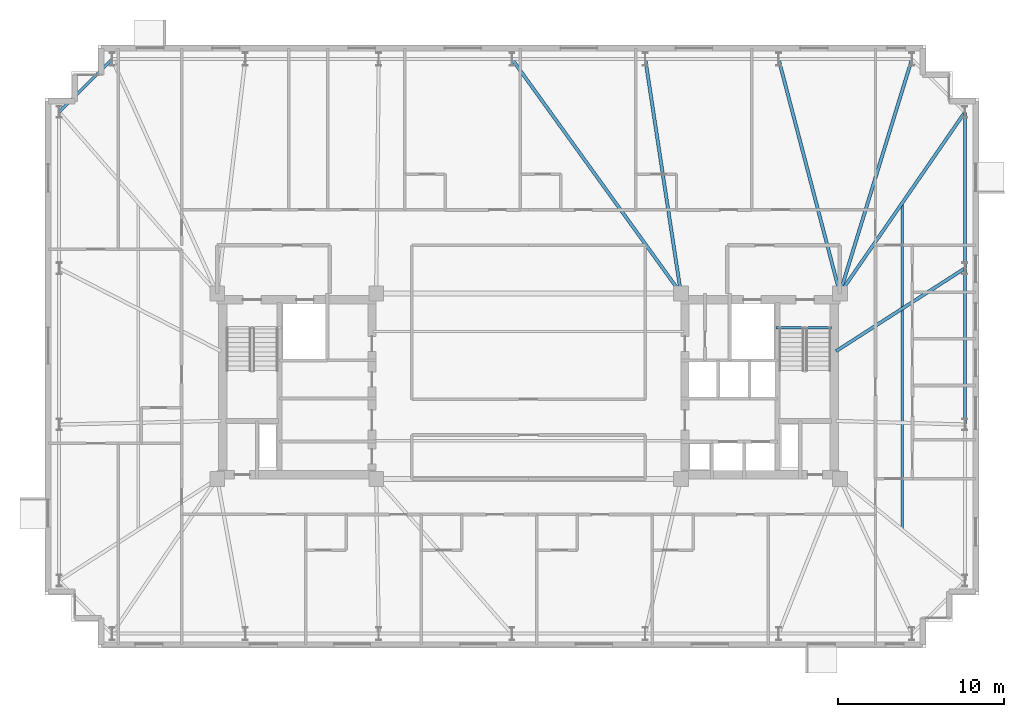
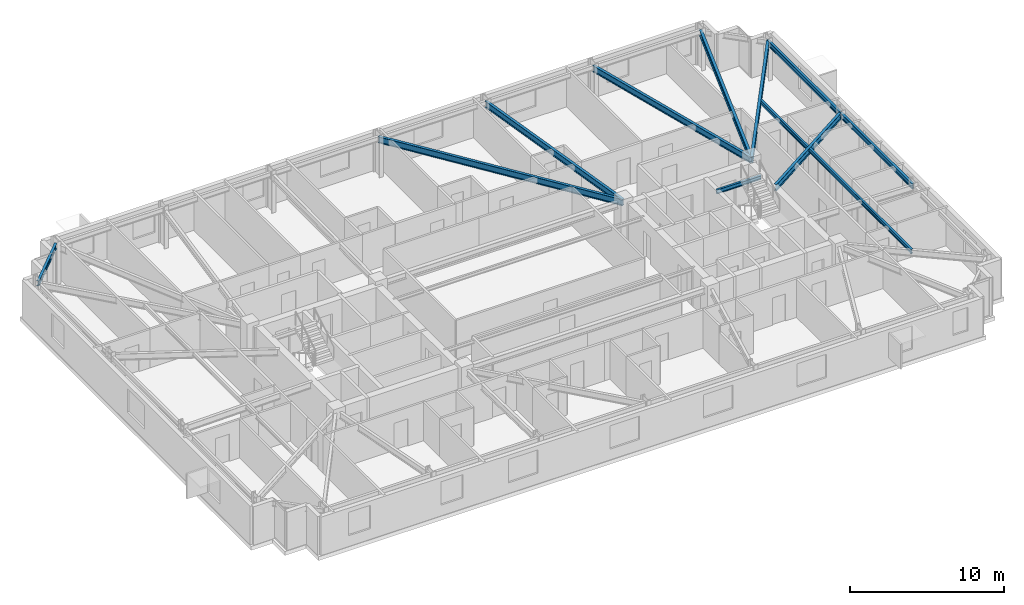
# One storey, part 6 of 17: 11 beams.
"""IFC4 building model written with IfcOpenShell, lengths in metres."""

import ifcopenshell
import ifcopenshell.guid

model = None  # the IFC model being written
_history = None  # IfcOwnerHistory: only IFC2X3 demands one
_inside = {}  # id of a spatial element -> (the spatial element, [elements in it])
_under = {}  # id of a project, library or spatial element -> (it, [spatial elements below it])
_declared = {}  # id of a project -> (the project, [libraries it declares])
_typed = {}  # id of a type object -> (the type object, [elements of that type])
_made_of = {}  # id of a material, layer set ... -> (it, [elements and type objects made of it])


def new_model(schema):
    """Start an empty IFC model of exactly this schema.

    Asked for "IFC4X3", IfcOpenShell would pick the latest addendum, in which some entities
    have other attributes; the version numbers below select the first issue.
    IFC2X3 requires an IfcOwnerHistory on every rooted entity: one is made here for all.
    """
    global model, _history
    if schema == "IFC4X3":
        model = ifcopenshell.file(schema_version=(4, 3, 0, 0))
    else:
        model = ifcopenshell.file(schema=schema)
    _inside.clear()
    _under.clear()
    _declared.clear()
    _typed.clear()
    _made_of.clear()
    _history = None
    if model.schema == "IFC2X3":
        org = make("IfcOrganization", Name="unknown")
        user = make(
            "IfcPersonAndOrganization",
            ThePerson=make("IfcPerson", FamilyName="unknown"),
            TheOrganization=org,
        )
        app = make(
            "IfcApplication",
            ApplicationDeveloper=org,
            Version="unknown",
            ApplicationFullName="unknown",
            ApplicationIdentifier="unknown",
        )
        _history = make(
            "IfcOwnerHistory",
            OwningUser=user,
            OwningApplication=app,
            ChangeAction="ADDED",
            CreationDate=0,
        )
    return model


def make(cls, **values):
    """One entity of the class cls with the attributes given. An attribute that is None is left unset."""
    return model.create_entity(
        cls, **{name: value for name, value in values.items() if value is not None}
    )


def rooted(cls, **values):
    """An entity with a GlobalId (a new one), such as an element, a storey or a relation."""
    return make(cls, GlobalId=ifcopenshell.guid.new(), OwnerHistory=_history, **values)


def si_unit(unit_type, name, prefix=None):
    """IfcSIUnit, for example si_unit("LENGTHUNIT", "METRE", prefix="MILLI")."""
    return make("IfcSIUnit", UnitType=unit_type, Prefix=prefix, Name=name)


def assignment(units):
    """IfcUnitAssignment: the units of a project."""
    return None if units is None else make("IfcUnitAssignment", Units=units)


def point(xyz):
    """IfcCartesianPoint."""
    return None if xyz is None else make("IfcCartesianPoint", Coordinates=xyz)


def direction(xyz):
    """IfcDirection."""
    return None if xyz is None else make("IfcDirection", DirectionRatios=xyz)


def frame(location, z_axis=None, x_axis=None):
    """IfcAxis2Placement3D, a coordinate frame: its origin and axes. An axis left out is left unset."""
    return make(
        "IfcAxis2Placement3D",
        Location=point(location),
        Axis=direction(z_axis),
        RefDirection=direction(x_axis),
    )


def frame_2d(location, x_axis=None):
    """IfcAxis2Placement2D, a coordinate frame in the plane: its origin and x axis."""
    return make(
        "IfcAxis2Placement2D", Location=point(location), RefDirection=direction(x_axis)
    )


def origin():
    """The frame at (0, 0, 0) with its axes left unset."""
    return frame((0.0, 0.0, 0.0))


def origin_2d():
    """The frame at (0, 0) in the plane with its x axis left unset."""
    return frame_2d((0.0, 0.0))


def place(relative_to, where):
    """IfcLocalPlacement: puts the frame where relative to a parent placement (None: the world)."""
    return make(
        "IfcLocalPlacement", PlacementRelTo=relative_to, RelativePlacement=where
    )


def context(
    kind, dimensions, precision=None, world=None, true_north=None, identifier=None
):
    """IfcGeometricRepresentationContext, for example the 3D "Model" context."""
    return make(
        "IfcGeometricRepresentationContext",
        ContextIdentifier=identifier,
        ContextType=kind,
        CoordinateSpaceDimension=dimensions,
        Precision=precision,
        WorldCoordinateSystem=world,
        TrueNorth=true_north,
    )


def subcontext(parent, identifier, kind, view, scale=None):
    """IfcGeometricRepresentationSubContext, for example "Body" below "Model"."""
    return make(
        "IfcGeometricRepresentationSubContext",
        ContextIdentifier=identifier,
        ContextType=kind,
        ParentContext=parent,
        TargetScale=scale,
        TargetView=view,
    )


def project(units=None, contexts=None):
    """IfcProject with its units and contexts."""
    return rooted(
        "IfcProject",
        Name="project",
        RepresentationContexts=contexts,
        UnitsInContext=assignment(units),
    )


def spatial(cls, under=None, at=None, **own):
    """A site, building, storey or space (cls), placed at a placement, below another one or the project."""
    s = rooted(cls, ObjectPlacement=at, **own)
    if under is not None:
        _under.setdefault(under.id(), (under, []))[1].append(s)
    return s


def profile(cls, at=None, kind="AREA", **sizes):
    """A parametric profile (cls). Its sizes go by their IFC names, for example OverallWidth=200.0."""
    return make(cls, ProfileType=kind, Position=at, **sizes)


def i_section(**sizes):
    """IfcIShapeProfileDef."""
    return profile("IfcIShapeProfileDef", **sizes)


def extrude(swept, where, along, depth):
    """IfcExtrudedAreaSolid: the profile swept, set in the frame where, extruded along a direction by depth."""
    return make(
        "IfcExtrudedAreaSolid",
        SweptArea=swept,
        Position=where,
        ExtrudedDirection=direction(along),
        Depth=depth,
    )


def shape(context_of_items, identifier, shape_type, items):
    """IfcShapeRepresentation: the items that make up one representation, for example the "Body"."""
    return make(
        "IfcShapeRepresentation",
        ContextOfItems=context_of_items,
        RepresentationIdentifier=identifier,
        RepresentationType=shape_type,
        Items=items,
    )


def material(Name=None, Category=None):
    """IfcMaterial."""
    return make("IfcMaterial", Name=Name, Category=Category)


def material_profile(
    of_material, cross_section, Name=None, Category=None, Priority=None
):
    """IfcMaterialProfile: a cross section and its material."""
    return make(
        "IfcMaterialProfile",
        Name=Name,
        Material=of_material,
        Profile=cross_section,
        Priority=Priority,
        Category=Category,
    )


def profile_set(profiles, Name=None, composite=None):
    """IfcMaterialProfileSet."""
    return make(
        "IfcMaterialProfileSet",
        Name=Name,
        MaterialProfiles=profiles,
        CompositeProfile=composite,
    )


def made_of(thing, what):
    """Note that an element or type object is made of a material, layer set ...; save() writes the relation."""
    if what is not None:
        _made_of.setdefault(what.id(), (what, []))[1].append(thing)
    return thing


def type_object(cls, material=None, **own):
    """A type object (cls), such as IfcWallType, which elements share."""
    return made_of(rooted(cls, **own), material)


def element(
    cls,
    number,
    at=None,
    inside=None,
    cuts=None,
    type_object=None,
    material=None,
    context=None,
    identifier="Body",
    shape_type=None,
    held_by="IfcProductDefinitionShape",
    body=None,
    shapes=None,
    **own,
):
    """One element of the class cls, such as IfcWall. Its Tag is "e" and its number.

    at: its placement. inside: the storey or other place that contains it. cuts: it is an
    opening in that element (IfcRelVoidsElement). A single representation is given by context,
    identifier, shape_type and body (its items); several are given by shapes. held_by: the class
    of the entity that holds the representations. save() writes the other relations.
    """
    e = rooted(cls, Tag="e%d" % number, ObjectPlacement=at, **own)
    if body is not None:
        shapes = [shape(context, identifier, shape_type, body)]
    if shapes is not None:
        e.Representation = make(held_by, Representations=shapes)
    if inside is not None:
        _inside.setdefault(inside.id(), (inside, []))[1].append(e)
    if cuts is not None:
        rooted(
            "IfcRelVoidsElement", RelatingBuildingElement=cuts, RelatedOpeningElement=e
        )
    if type_object is not None:
        _typed.setdefault(type_object.id(), (type_object, []))[1].append(e)
    return made_of(e, material)


def aggregate(whole, parts):
    """IfcRelAggregates: a whole, such as a stair, and the parts it consists of."""
    return rooted("IfcRelAggregates", RelatingObject=whole, RelatedObjects=parts)


def save(model, path):
    """Write the relations noted so far, then the file.

    IfcRelAggregates (storeys below a building ...), IfcRelContainedInSpatialStructure (elements
    in a storey), IfcRelDefinesByType, IfcRelAssociatesMaterial and IfcRelDeclares: one each for
    every whole, place, type object, material and project.
    """
    for whole, parts in _under.values():
        aggregate(whole, parts)
    for where, things in _inside.values():
        rooted(
            "IfcRelContainedInSpatialStructure",
            RelatedElements=things,
            RelatingStructure=where,
        )
    for kind, things in _typed.values():
        rooted("IfcRelDefinesByType", RelatedObjects=things, RelatingType=kind)
    for what, things in _made_of.values():
        rooted("IfcRelAssociatesMaterial", RelatedObjects=things, RelatingMaterial=what)
    for by, libraries in _declared.values():
        rooted("IfcRelDeclares", RelatingContext=by, RelatedDefinitions=libraries)
    model.write(path)


model = new_model("IFC4")

# Units and contexts
model_context = context("Model", 3, precision=1e-05, world=origin(), true_north=direction((0.0, 1.0)))
body_context = subcontext(model_context, "Body", "Model", "MODEL_VIEW")
ifc_project = project(units=[si_unit("LENGTHUNIT", "METRE"), si_unit("AREAUNIT", "SQUARE_METRE"), si_unit("VOLUMEUNIT", "CUBIC_METRE"), si_unit("PLANEANGLEUNIT", "RADIAN"), si_unit("MASSUNIT", "GRAM", prefix="KILO")], contexts=[model_context])

# Site, building, storey
site_placement = place(None, origin())
site = spatial("IfcSite", under=ifc_project, at=site_placement, CompositionType="ELEMENT")
building_placement = place(site_placement, origin())
building = spatial("IfcBuilding", under=site, at=building_placement, Name="Qobustan Lattice House", CompositionType="ELEMENT")
storey_placement = place(building_placement, frame((0.0, 0.0, 161.14990234375)))
storey = spatial("IfcBuildingStorey", under=building, at=storey_placement, Name="L45", CompositionType="ELEMENT", Elevation=161.14990234375)

# Beams
ifc_material_1 = material(Name="Steel S355", Category="steel")
ifc_material_profile_1 = material_profile(ifc_material_1, i_section(OverallWidth=0.199951171875, OverallDepth=0.5, WebThickness=0.01025390625, FlangeThickness=0.01611328125, FilletRadius=0.02099609375, at=origin_2d()), Name="IPE500")
ifc_profile_set_1 = profile_set([ifc_material_profile_1], Name="Steel S355")
beam_type_1 = type_object("IfcBeamType", Name="BM-FLG-IPE500", PredefinedType="USERDEFINED", material=ifc_profile_set_1)
beam_1_placement = place(storey_placement, frame((-0.9853515625, 19.729736328125, 2.7900390625), z_axis=(0.584755393146, -0.811209670916, 0.0), x_axis=(0.811209670916, 0.584755393146, 0.0)))
element("IfcBeam", 1, at=beam_1_placement, inside=storey, type_object=beam_type_1, Name="L45 primary floor girder RAD-N4", ObjectType="GIRDER", PredefinedType="USERDEFINED", context=body_context, shape_type="SweptSolid", body=[
    extrude(i_section(OverallWidth=0.199951171875, OverallDepth=0.5, WebThickness=0.01025390625, FlangeThickness=0.01611328125, FilletRadius=0.02099609375, at=origin_2d()), origin(), (0.0, 0.0, 1.0), 17.39306640625),
])
beam_2_placement = place(storey_placement, frame((7.0537109375, 19.725341796875, 2.7900390625), z_axis=(0.150225226731, -0.988651799803, 0.0), x_axis=(0.988651799803, 0.150225226731, 0.0)))
element("IfcBeam", 2, at=beam_2_placement, inside=storey, type_object=beam_type_1, Name="L45 primary floor girder RAD-N3", ObjectType="GIRDER", PredefinedType="USERDEFINED", context=body_context, shape_type="SweptSolid", body=[
    extrude(i_section(OverallWidth=0.199951171875, OverallDepth=0.5, WebThickness=0.01025390625, FlangeThickness=0.01611328125, FilletRadius=0.02099609375, at=origin_2d()), origin(), (0.0, 0.0, 1.0), 14.262451171875),
])
beam_3_placement = place(storey_placement, frame((15.106201171875, 19.725830078125, 2.7900390625), z_axis=(0.252989153576, -0.967469114842, 0.0), x_axis=(0.967469114842, 0.252989153576, 0.0)))
element("IfcBeam", 3, at=beam_3_placement, inside=storey, type_object=beam_type_1, Name="L45 primary floor girder RAD-N2", ObjectType="GIRDER", PredefinedType="USERDEFINED", context=body_context, shape_type="SweptSolid", body=[
    extrude(i_section(OverallWidth=0.199951171875, OverallDepth=0.5, WebThickness=0.01025390625, FlangeThickness=0.01611328125, FilletRadius=0.02099609375, at=origin_2d()), origin(), (0.0, 0.0, 1.0), 14.57568359375),
])
beam_4_placement = place(storey_placement, frame((23.142578125, 19.72607421875, 2.7900390625), z_axis=(-0.293840483469, -0.955854471285, 0.0), x_axis=(0.955854471285, -0.293840483469, 0.0)))
element("IfcBeam", 4, at=beam_4_placement, inside=storey, type_object=beam_type_1, Name="L45 primary floor girder RAD-N1E", ObjectType="GIRDER", PredefinedType="USERDEFINED", context=body_context, shape_type="SweptSolid", body=[
    extrude(i_section(OverallWidth=0.199951171875, OverallDepth=0.5, WebThickness=0.01025390625, FlangeThickness=0.01611328125, FilletRadius=0.02099609375, at=origin_2d()), origin(), (0.0, 0.0, 1.0), 14.753662109375),
])
beam_5_placement = place(storey_placement, frame((26.335693359375, 16.529296875, 2.7900390625), z_axis=(-0.567643395011, -0.82327454479, 0.0), x_axis=(0.82327454479, -0.567643395011, 0.0)))
element("IfcBeam", 5, at=beam_5_placement, inside=storey, type_object=beam_type_1, Name="L45 primary floor girder RAD-E4", ObjectType="GIRDER", PredefinedType="USERDEFINED", context=body_context, shape_type="SweptSolid", body=[
    extrude(i_section(OverallWidth=0.199951171875, OverallDepth=0.5, WebThickness=0.01025390625, FlangeThickness=0.01611328125, FilletRadius=0.02099609375, at=origin_2d()), origin(), (0.0, 0.0, 1.0), 13.25048828125),
])
beam_6_placement = place(storey_placement, frame((26.3291015625, 7.103271484375, 2.7900390625), z_axis=(-0.841058920931, -0.540943519715, 0.0), x_axis=(0.540943519715, -0.841058920931, 0.0)))
element("IfcBeam", 6, at=beam_6_placement, inside=storey, type_object=beam_type_1, Name="L45 primary floor girder RAD-E3", ObjectType="GIRDER", PredefinedType="USERDEFINED", context=body_context, shape_type="SweptSolid", body=[
    extrude(i_section(OverallWidth=0.199951171875, OverallDepth=0.5, WebThickness=0.01025390625, FlangeThickness=0.01611328125, FilletRadius=0.02099609375, at=origin_2d()), origin(), (0.0, 0.0, 1.0), 9.22412109375),
])
ifc_material_2 = material(Name="Steel S355", Category="steel")
ifc_material_profile_2 = material_profile(ifc_material_2, i_section(OverallWidth=0.159912109375, OverallDepth=0.330078125, WebThickness=0.007568359375, FlangeThickness=0.011474609375, FilletRadius=0.01806640625, at=origin_2d()), Name="IPE330")
ifc_profile_set_2 = profile_set([ifc_material_profile_2], Name="Steel S355")
beam_type_2 = type_object("IfcBeamType", Name="BM-SEC-IPE330", PredefinedType="BEAM", material=ifc_profile_set_2)
beam_7_placement = place(storey_placement, frame((22.574951171875, 11.074951171875, 2.875), z_axis=(0.0, -1.0, 0.0), x_axis=(1.0, 0.0, 0.0)))
element("IfcBeam", 7, at=beam_7_placement, inside=storey, type_object=beam_type_2, Name="L45 east wing secondary beam", PredefinedType="BEAM", context=body_context, shape_type="SweptSolid", body=[
    extrude(i_section(OverallWidth=0.159912109375, OverallDepth=0.330078125, WebThickness=0.007568359375, FlangeThickness=0.011474609375, FilletRadius=0.01806640625, at=origin_2d()), origin(), (0.0, 0.0, 1.0), 19.75),
])
ifc_material_3 = material(Name="Steel S355", Category="steel")
ifc_material_profile_3 = material_profile(ifc_material_3, i_section(OverallWidth=0.159912109375, OverallDepth=0.330078125, WebThickness=0.007568359375, FlangeThickness=0.011474609375, FilletRadius=0.01806640625, at=origin_2d()), Name="IPE330")
ifc_profile_set_3 = profile_set([ifc_material_profile_3], Name="Steel S355")
beam_type_3 = type_object("IfcBeamType", Name="BM-SPD-IPE330", PredefinedType="SPANDREL", material=ifc_profile_set_3)
beam_8_placement = place(storey_placement, frame((14.949951171875, 3.52001953125, 2.875), z_axis=(1.0, 0.0, 0.0), x_axis=(0.0, 1.0, 0.0)))
element("IfcBeam", 8, at=beam_8_placement, inside=storey, type_object=beam_type_3, Name="L45 east stair landing trimmer beam", PredefinedType="SPANDREL", context=body_context, shape_type="SweptSolid", body=[
    extrude(i_section(OverallWidth=0.159912109375, OverallDepth=0.330078125, WebThickness=0.007568359375, FlangeThickness=0.011474609375, FilletRadius=0.01806640625, at=origin_2d()), origin(), (0.0, 0.0, 1.0), 3.35009765625),
])
ifc_material_4 = material(Name="Steel S355", Category="steel")
ifc_material_profile_4 = material_profile(ifc_material_4, i_section(OverallWidth=0.179931640625, OverallDepth=0.39990234375, WebThickness=0.008544921875, FlangeThickness=0.013427734375, FilletRadius=0.02099609375, at=origin_2d()), Name="IPE400")
ifc_profile_set_4 = profile_set([ifc_material_profile_4], Name="Steel S355")
beam_type_4 = type_object("IfcBeamType", Name="BM-SPD-IPE400", PredefinedType="SPANDREL", material=ifc_profile_set_4)
beam_9_placement = place(storey_placement, frame((26.35009765625, -2.291748046875, 2.840087890625), z_axis=(0.0, 1.0, 0.0), x_axis=(-1.0, 0.0, 0.0)))
element("IfcBeam", 9, at=beam_9_placement, inside=storey, type_object=beam_type_4, Name="L45 perimeter spandrel E2-E3", PredefinedType="SPANDREL", context=body_context, shape_type="SweptSolid", body=[
    extrude(i_section(OverallWidth=0.179931640625, OverallDepth=0.39990234375, WebThickness=0.008544921875, FlangeThickness=0.013427734375, FilletRadius=0.02099609375, at=origin_2d()), origin(), (0.0, 0.0, 1.0), 9.383544921875),
])
beam_10_placement = place(storey_placement, frame((26.35009765625, 7.1416015625, 2.840087890625), z_axis=(0.0, 1.0, 0.0), x_axis=(-1.0, 0.0, 0.0)))
element("IfcBeam", 10, at=beam_10_placement, inside=storey, type_object=beam_type_4, Name="L45 perimeter spandrel E3-E4", PredefinedType="SPANDREL", context=body_context, shape_type="SweptSolid", body=[
    extrude(i_section(OverallWidth=0.179931640625, OverallDepth=0.39990234375, WebThickness=0.008544921875, FlangeThickness=0.013427734375, FilletRadius=0.02099609375, at=origin_2d()), origin(), (0.0, 0.0, 1.0), 9.38330078125),
])
beam_11_placement = place(storey_placement, frame((-25.167724609375, 19.732421875, 2.840087890625), z_axis=(-0.707079505568, -0.707134055753, 0.0), x_axis=(0.707134055753, -0.707079505568, 0.0)))
element("IfcBeam", 11, at=beam_11_placement, inside=storey, type_object=beam_type_4, Name="L45 perimeter spandrel N7-W1", PredefinedType="SPANDREL", context=body_context, shape_type="SweptSolid", body=[
    extrude(i_section(OverallWidth=0.179931640625, OverallDepth=0.39990234375, WebThickness=0.008544921875, FlangeThickness=0.013427734375, FilletRadius=0.02099609375, at=origin_2d()), origin(), (0.0, 0.0, 1.0), 4.4755859375),
])

save(model, "model.ifc")
